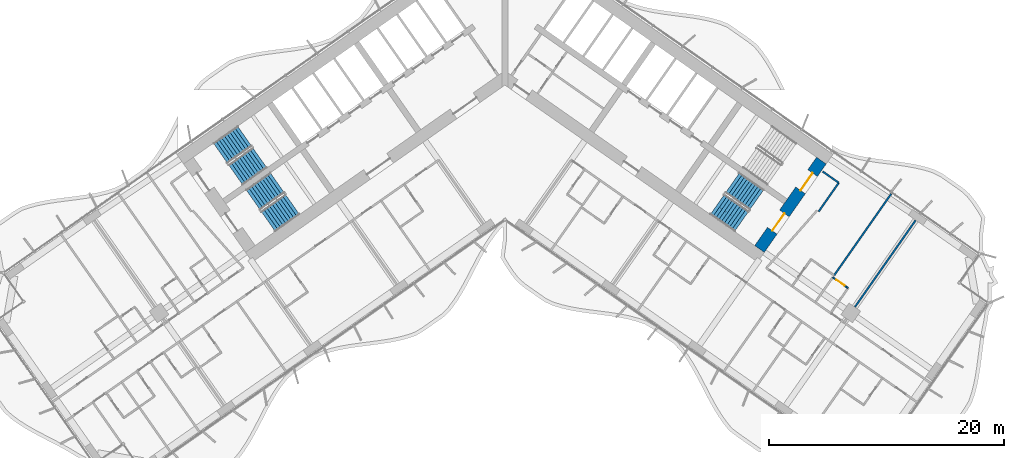
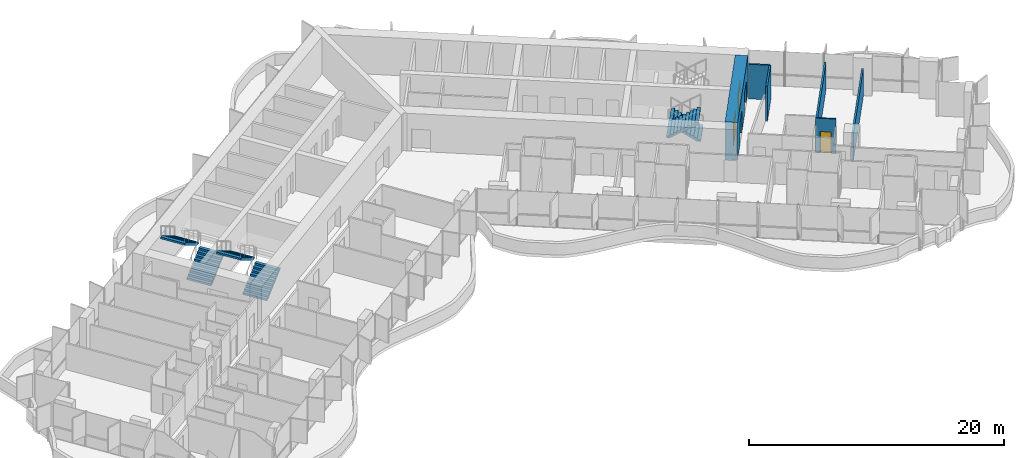
# One storey, part 17 of 24: 6 stair flights, 6 walls, 3 doors, 3 openings, 3 elements without a shape of their own.
"""IFC4 building model written with IfcOpenShell, lengths in metres."""

from ifc_helpers import new_model, si_unit, direction, frame, frame_2d, origin, place, context, subcontext, project, spatial, polyline, rectangle, outline, extrude, material, layer, layer_set, type_object, element, fill, aggregate, save


model = new_model("IFC4")

# Units and contexts
model_context = context("Model", 3, precision=1e-05, world=origin(), true_north=direction((0.0, 1.0)))
body_context = subcontext(model_context, "Body", "Model", "MODEL_VIEW")
ifc_project = project(units=[si_unit("LENGTHUNIT", "METRE"), si_unit("AREAUNIT", "SQUARE_METRE"), si_unit("VOLUMEUNIT", "CUBIC_METRE"), si_unit("PLANEANGLEUNIT", "RADIAN"), si_unit("MASSUNIT", "GRAM", prefix="KILO")], contexts=[model_context])

# Site, building, storey
site_placement = place(None, origin())
site = spatial("IfcSite", under=ifc_project, at=site_placement, CompositionType="ELEMENT")
building_placement = place(site_placement, origin())
building = spatial("IfcBuilding", under=site, at=building_placement, Name="Tel Ilan Convention Tower", CompositionType="ELEMENT")
storey_placement = place(building_placement, frame((0.0, 0.0, 90.5)))
storey = spatial("IfcBuildingStorey", under=building, at=storey_placement, Name="L18", CompositionType="ELEMENT", Elevation=90.5)

# Wall, openings, doors
ifc_material_1 = material(Name="Concrete C60/75", Category="concrete")
ifc_layer_1 = layer(ifc_material_1, 1.0)
ifc_layer_set_1 = layer_set([ifc_layer_1], Name="Core Shear Wall 1000 mm C60/75")
wall_type_1 = type_object("IfcWallType", Name="Core Shear Wall 1000 mm C60/75", PredefinedType="SHEAR", material=ifc_layer_set_1)
wall_1_placement = place(storey_placement, frame((21.70751953125, -15.19970703125, 0.0), z_axis=(0.0, 0.0, 1.0), x_axis=(0.573576324356, 0.819152122709, 0.0)))
wall_1 = element("IfcWall", 1, at=wall_1_placement, inside=storey, type_object=wall_type_1, Name="L18 core wall E-end", PredefinedType="SHEAR", context=body_context, shape_type="SweptSolid", body=[
    extrude(outline(polyline([(9.199951171875, 0.5), (0.0, 0.5), (0.0, -0.5), (9.199951171875, -0.5), (9.199951171875, 0.5)])), origin(), (0.0, 0.0, 1.0), 3.60009765625),
])
opening_1_placement = place(wall_1_placement, frame((6.10009765625, 0.0, 0.0)))
opening_1 = element("IfcOpeningElement", 2, at=opening_1_placement, cuts=wall_1, Name="Opening SD1603", PredefinedType="OPENING", context=body_context, shape_type="SweptSolid", body=[
    extrude(rectangle(XDim=1.800048828125, YDim=2.10009765625, at=frame_2d((0.89990234375, 1.050048828125))), frame((0.0, 0.510009765625, 0.0), z_axis=(0.0, -1.0, 0.0), x_axis=(1.0, 0.0, 0.0)), (0.0, 0.0, 1.0), 1.02001953125),
])
opening_2_placement = place(wall_1_placement, frame((1.89990234375, 0.0, 0.0)))
opening_2 = element("IfcOpeningElement", 3, at=opening_2_placement, cuts=wall_1, Name="Opening SD1604", PredefinedType="OPENING", context=body_context, shape_type="SweptSolid", body=[
    extrude(rectangle(XDim=1.800048828125, YDim=2.10009765625, at=frame_2d((0.89990234375, 1.050048828125))), frame((0.0, 0.510009765625, 0.0), z_axis=(0.0, -1.0, 0.0), x_axis=(1.0, 0.0, 0.0)), (0.0, 0.0, 1.0), 1.02001953125),
])
ifc_material_2 = material(Name="Galvanised Steel Door Leaf", Category="steel")
door_type_1 = type_object("IfcDoorType", Name="Stair Fire Door 1800 x 2100 FD60S", OperationType="NOTDEFINED", PredefinedType="DOOR", material=ifc_material_2)
door_1_placement = place(opening_1_placement, origin())
door_1 = element("IfcDoor", 4, at=door_1_placement, inside=storey, type_object=door_type_1, Name="Stair S3 door", OperationType="DOUBLE_DOOR_SINGLE_SWING", OverallHeight=2.10009765625, OverallWidth=1.800048828125, PredefinedType="DOOR", context=body_context, shape_type="SweptSolid", body=[
    extrude(rectangle(XDim=1.800048828125, YDim=2.10009765625, at=frame_2d((0.89990234375, 1.050048828125))), frame((0.0, 0.02490234375, 0.0), z_axis=(0.0, -1.0, 0.0), x_axis=(1.0, 0.0, 0.0)), (0.0, 0.0, 1.0), 0.050048828125),
])
fill(opening_1, door_1)
door_2_placement = place(opening_2_placement, origin())
door_2 = element("IfcDoor", 5, at=door_2_placement, inside=storey, type_object=door_type_1, Name="Stair S4 door", OperationType="DOUBLE_DOOR_SINGLE_SWING", OverallHeight=2.10009765625, OverallWidth=1.800048828125, PredefinedType="DOOR", context=body_context, shape_type="SweptSolid", body=[
    extrude(rectangle(XDim=1.800048828125, YDim=2.10009765625, at=frame_2d((0.89990234375, 1.050048828125))), frame((0.0, 0.02490234375, 0.0), z_axis=(0.0, -1.0, 0.0), x_axis=(1.0, 0.0, 0.0)), (0.0, 0.0, 1.0), 0.050048828125),
])
fill(opening_2, door_2)

# Walls
ifc_material_3 = material(Name="Plasterboard on Steel Studs", Category="steel")
ifc_layer_2 = layer(ifc_material_3, 0.14990234375)
ifc_layer_set_2 = layer_set([ifc_layer_2], Name="Fire-rated Partition 150 EI 60")
wall_type_2 = type_object("IfcWallType", Name="Fire-rated Partition 150 EI 60", PredefinedType="PARTITIONING", material=ifc_layer_set_2)
wall_2_placement = place(storey_placement, frame((32.93994140625, -10.49072265625, 0.0), z_axis=(0.0, 0.0, 1.0), x_axis=(-0.573593433868, -0.819140142237, 0.0)))
element("IfcWall", 6, at=wall_2_placement, inside=storey, type_object=wall_type_2, Name="Partition 046", PredefinedType="PARTITIONING", context=body_context, shape_type="SweptSolid", body=[
    extrude(rectangle(XDim=8.4990234375, YDim=0.14990234375, at=frame_2d((4.24951171875, 0.0))), origin(), (0.0, 0.0, 1.0), 2.60009765625),
])
wall_3_placement = place(storey_placement, frame((26.74609375, -12.013671875, 0.0), z_axis=(0.0, 0.0, 1.0), x_axis=(0.573560650686, 0.819163097304, 0.0)))
element("IfcWall", 7, at=wall_3_placement, inside=storey, type_object=wall_type_2, Name="Partition 048", PredefinedType="PARTITIONING", context=body_context, shape_type="SweptSolid", body=[
    extrude(rectangle(XDim=3.0, YDim=0.14990234375, at=frame_2d((1.5, 0.0))), origin(), (0.0, 0.0, 1.0), 3.320068359375),
])
wall_4_placement = place(storey_placement, frame((28.466796875, -9.55615234375, 0.0), z_axis=(0.0, 0.0, 1.0), x_axis=(-0.819109000826, 0.573637903879, 0.0)))
element("IfcWall", 8, at=wall_4_placement, inside=storey, type_object=wall_type_2, Name="Partition 049", PredefinedType="PARTITIONING", context=body_context, shape_type="SweptSolid", body=[
    extrude(rectangle(XDim=1.679931640625, YDim=0.14990234375, at=frame_2d((0.83984375, 0.0))), origin(), (0.0, 0.0, 1.0), 3.320068359375),
])
wall_5_placement = place(storey_placement, frame((35.012939453125, -12.76025390625, 0.0), z_axis=(0.0, 0.0, 1.0), x_axis=(-0.573558725113, -0.819164445546, 0.0)))
element("IfcWall", 9, at=wall_5_placement, inside=storey, type_object=wall_type_2, Name="Partition 053", PredefinedType="PARTITIONING", context=body_context, shape_type="SweptSolid", body=[
    extrude(rectangle(XDim=9.010009765625, YDim=0.14990234375, at=frame_2d((4.5048828125, 0.0))), origin(), (0.0, 0.0, 1.0), 2.60009765625),
])

# Wall, opening, door
ifc_material_4 = material(Name="Plasterboard on Steel Studs", Category="steel")
ifc_layer_3 = layer(ifc_material_4, 0.1201171875)
ifc_layer_set_3 = layer_set([ifc_layer_3], Name="Moisture-resistant Partition 120")
wall_type_3 = type_object("IfcWallType", Name="Moisture-resistant Partition 120", PredefinedType="PARTITIONING", material=ifc_layer_set_3)
wall_6_placement = place(storey_placement, frame((29.260986328125, -18.5341796875, 0.0), z_axis=(0.0, 0.0, 1.0), x_axis=(-0.819253425856, 0.573431621227, 0.0)))
wall_6 = element("IfcWall", 10, at=wall_6_placement, inside=storey, type_object=wall_type_3, Name="Partition 052", PredefinedType="PARTITIONING", context=body_context, shape_type="SweptSolid", body=[
    extrude(rectangle(XDim=1.60009765625, YDim=0.1201171875, at=frame_2d((0.800048828125, 0.0))), origin(), (0.0, 0.0, 1.0), 3.320068359375),
])
opening_3_placement = place(wall_6_placement, frame((0.375, 0.0, 0.0)))
opening_3 = element("IfcOpeningElement", 11, at=opening_3_placement, cuts=wall_6, Name="Opening L18-041", PredefinedType="OPENING", context=body_context, shape_type="SweptSolid", body=[
    extrude(rectangle(XDim=0.85009765625, YDim=2.050048828125, at=frame_2d((0.425048828125, 1.02490234375))), frame((0.0, 0.070068359375, 0.0), z_axis=(0.0, -1.0, 0.0), x_axis=(1.0, 0.0, 0.0)), (0.0, 0.0, 1.0), 0.14013671875),
])
ifc_material_5 = material(Name="Timber Door Leaf in Steel Frame", Category="steel")
door_type_2 = type_object("IfcDoorType", Name="Bathroom Timber Door 850x2050", OperationType="NOTDEFINED", PredefinedType="DOOR", material=ifc_material_5)
door_3_placement = place(opening_3_placement, origin())
door_3 = element("IfcDoor", 12, at=door_3_placement, inside=storey, type_object=door_type_2, Name="Door L18-041", OperationType="SINGLE_SWING_LEFT", OverallHeight=2.050048828125, OverallWidth=0.85009765625, PredefinedType="DOOR", context=body_context, shape_type="SweptSolid", body=[
    extrude(rectangle(XDim=0.85009765625, YDim=2.050048828125, at=frame_2d((0.425048828125, 1.02490234375))), frame((0.0, 0.02490234375, 0.0), z_axis=(0.0, -1.0, 0.0), x_axis=(1.0, 0.0, 0.0)), (0.0, 0.0, 1.0), 0.050048828125),
])
fill(opening_3, door_3)

# Stair, stair flights
ifc_material_6 = material(Name="Concrete C40/50", Category="concrete")
stair_type = type_object("IfcStairType", Name="Pressurised Exit Stair 20 risers 180 mm", PredefinedType="HALF_TURN_STAIR", material=ifc_material_6)
stair_1_placement = place(storey_placement, origin())
stair_1 = element("IfcStair", 13, at=stair_1_placement, inside=storey, type_object=stair_type, Name="L18 Pressurised Stair S1", PredefinedType="HALF_TURN_STAIR")
ifc_material_7 = material(Name="Precast Concrete C40/50", Category="concrete")
stair_flight_type = type_object("IfcStairFlightType", Name="Concrete Stair Flight 2100 mm 20 risers 180 mm", PredefinedType="STRAIGHT", material=ifc_material_7)
stair_flight_1_placement = place(storey_placement, frame((-22.9619140625, -8.87548828125, 0.0), z_axis=(0.0, 0.0, 1.0), x_axis=(0.819152044289, 0.573576436351, 0.0)))
stair_flight_1 = element("IfcStairFlight", 14, at=stair_flight_1_placement, type_object=stair_flight_type, Name="S1 flight 1", NumberOfRisers=10, NumberOfTreads=9, PredefinedType="STRAIGHT", RiserHeight=0.18, TreadLength=0.28, context=body_context, shape_type="SweptSolid", body=[
    extrude(outline(polyline([(0.0, 0.0), (0.0, 0.179931640625), (0.280029296875, 0.179931640625), (0.280029296875, 0.360107421875), (0.56005859375, 0.360107421875), (0.56005859375, 0.5400390625), (0.840087890625, 0.5400390625), (0.840087890625, 0.719970703125), (1.1201171875, 0.719970703125), (1.1201171875, 0.89990234375), (1.39990234375, 0.89990234375), (1.39990234375, 1.080078125), (1.679931640625, 1.080078125), (1.679931640625, 1.260009765625), (1.9599609375, 1.260009765625), (1.9599609375, 1.43994140625), (2.239990234375, 1.43994140625), (2.239990234375, 1.6201171875), (2.52001953125, 1.6201171875), (2.52001953125, 1.800048828125), (2.52001953125, 1.44189453125), (0.277099609375, 0.0), (0.0, 0.0)])), frame((0.0, -0.100341796875, 0.0), z_axis=(0.0, -1.0, 0.0), x_axis=(1.0, 0.0, 0.0)), (0.0, 0.0, 1.0), 0.94970703125),
    extrude(outline(polyline([(0.0, 0.0), (0.0, 0.179931640625), (0.280029296875, 0.179931640625), (0.280029296875, 0.360107421875), (0.56005859375, 0.360107421875), (0.56005859375, 0.5400390625), (0.840087890625, 0.5400390625), (0.840087890625, 0.719970703125), (1.1201171875, 0.719970703125), (1.1201171875, 0.89990234375), (1.39990234375, 0.89990234375), (1.39990234375, 1.080078125), (1.679931640625, 1.080078125), (1.679931640625, 1.260009765625), (1.9599609375, 1.260009765625), (1.9599609375, 1.43994140625), (2.239990234375, 1.43994140625), (2.239990234375, 1.6201171875), (2.52001953125, 1.6201171875), (2.52001953125, 1.800048828125), (2.52001953125, 1.44189453125), (0.277099609375, 0.0), (0.0, 0.0)])), frame((0.0, -0.000244140625, 0.0), z_axis=(0.0, -1.0, 0.0), x_axis=(1.0, 0.0, 0.0)), (0.0, 0.0, 1.0), 0.099609375),
    extrude(outline(polyline([(0.0, 0.0), (0.0, 0.179931640625), (0.280029296875, 0.179931640625), (0.280029296875, 0.360107421875), (0.56005859375, 0.360107421875), (0.56005859375, 0.5400390625), (0.840087890625, 0.5400390625), (0.840087890625, 0.719970703125), (1.1201171875, 0.719970703125), (1.1201171875, 0.89990234375), (1.39990234375, 0.89990234375), (1.39990234375, 1.080078125), (1.679931640625, 1.080078125), (1.679931640625, 1.260009765625), (1.9599609375, 1.260009765625), (1.9599609375, 1.43994140625), (2.239990234375, 1.43994140625), (2.239990234375, 1.6201171875), (2.52001953125, 1.6201171875), (2.52001953125, 1.800048828125), (2.52001953125, 1.44189453125), (0.277099609375, 0.0), (0.0, 0.0)])), frame((0.0, 0.099853515625, 0.0), z_axis=(0.0, -1.0, 0.0), x_axis=(1.0, 0.0, 0.0)), (0.0, 0.0, 1.0), 0.099609375),
    extrude(outline(polyline([(0.0, 0.0), (0.0, 0.179931640625), (0.280029296875, 0.179931640625), (0.280029296875, 0.360107421875), (0.56005859375, 0.360107421875), (0.56005859375, 0.5400390625), (0.840087890625, 0.5400390625), (0.840087890625, 0.719970703125), (1.1201171875, 0.719970703125), (1.1201171875, 0.89990234375), (1.39990234375, 0.89990234375), (1.39990234375, 1.080078125), (1.679931640625, 1.080078125), (1.679931640625, 1.260009765625), (1.9599609375, 1.260009765625), (1.9599609375, 1.43994140625), (2.239990234375, 1.43994140625), (2.239990234375, 1.6201171875), (2.52001953125, 1.6201171875), (2.52001953125, 1.800048828125), (2.52001953125, 1.44189453125), (0.277099609375, 0.0), (0.0, 0.0)])), frame((0.0, 1.050048828125, 0.0), z_axis=(0.0, -1.0, 0.0), x_axis=(1.0, 0.0, 0.0)), (0.0, 0.0, 1.0), 0.94970703125),
])
stair_flight_2_placement = place(storey_placement, frame((-22.188232421875, -5.5869140625, 1.800048828125), z_axis=(0.0, 0.0, 1.0), x_axis=(-0.819152044289, -0.573576436351, 0.0)))
stair_flight_2 = element("IfcStairFlight", 15, at=stair_flight_2_placement, type_object=stair_flight_type, Name="S1 flight 2", NumberOfRisers=10, NumberOfTreads=9, PredefinedType="STRAIGHT", RiserHeight=0.18, TreadLength=0.28, context=body_context, shape_type="SweptSolid", body=[
    extrude(outline(polyline([(0.0, 0.0), (0.0, 0.179931640625), (0.280029296875, 0.179931640625), (0.280029296875, 0.360107421875), (0.56005859375, 0.360107421875), (0.56005859375, 0.5400390625), (0.840087890625, 0.5400390625), (0.840087890625, 0.719970703125), (1.1201171875, 0.719970703125), (1.1201171875, 0.89990234375), (1.39990234375, 0.89990234375), (1.39990234375, 1.080078125), (1.679931640625, 1.080078125), (1.679931640625, 1.260009765625), (1.9599609375, 1.260009765625), (1.9599609375, 1.43994140625), (2.239990234375, 1.43994140625), (2.239990234375, 1.6201171875), (2.52001953125, 1.6201171875), (2.52001953125, 1.800048828125), (2.52001953125, 1.44189453125), (0.277099609375, 0.0), (0.0, 0.0)])), frame((0.0, -0.100341796875, 0.0), z_axis=(0.0, -1.0, 0.0), x_axis=(1.0, 0.0, 0.0)), (0.0, 0.0, 1.0), 0.94970703125),
    extrude(outline(polyline([(0.0, 0.0), (0.0, 0.179931640625), (0.280029296875, 0.179931640625), (0.280029296875, 0.360107421875), (0.56005859375, 0.360107421875), (0.56005859375, 0.5400390625), (0.840087890625, 0.5400390625), (0.840087890625, 0.719970703125), (1.1201171875, 0.719970703125), (1.1201171875, 0.89990234375), (1.39990234375, 0.89990234375), (1.39990234375, 1.080078125), (1.679931640625, 1.080078125), (1.679931640625, 1.260009765625), (1.9599609375, 1.260009765625), (1.9599609375, 1.43994140625), (2.239990234375, 1.43994140625), (2.239990234375, 1.6201171875), (2.52001953125, 1.6201171875), (2.52001953125, 1.800048828125), (2.52001953125, 1.44189453125), (0.277099609375, 0.0), (0.0, 0.0)])), frame((0.0, -0.000244140625, 0.0), z_axis=(0.0, -1.0, 0.0), x_axis=(1.0, 0.0, 0.0)), (0.0, 0.0, 1.0), 0.099609375),
    extrude(outline(polyline([(0.0, 0.0), (0.0, 0.179931640625), (0.280029296875, 0.179931640625), (0.280029296875, 0.360107421875), (0.56005859375, 0.360107421875), (0.56005859375, 0.5400390625), (0.840087890625, 0.5400390625), (0.840087890625, 0.719970703125), (1.1201171875, 0.719970703125), (1.1201171875, 0.89990234375), (1.39990234375, 0.89990234375), (1.39990234375, 1.080078125), (1.679931640625, 1.080078125), (1.679931640625, 1.260009765625), (1.9599609375, 1.260009765625), (1.9599609375, 1.43994140625), (2.239990234375, 1.43994140625), (2.239990234375, 1.6201171875), (2.52001953125, 1.6201171875), (2.52001953125, 1.800048828125), (2.52001953125, 1.44189453125), (0.277099609375, 0.0), (0.0, 0.0)])), frame((0.0, 0.099853515625, 0.0), z_axis=(0.0, -1.0, 0.0), x_axis=(1.0, 0.0, 0.0)), (0.0, 0.0, 1.0), 0.099609375),
    extrude(outline(polyline([(0.0, 0.0), (0.0, 0.179931640625), (0.280029296875, 0.179931640625), (0.280029296875, 0.360107421875), (0.56005859375, 0.360107421875), (0.56005859375, 0.5400390625), (0.840087890625, 0.5400390625), (0.840087890625, 0.719970703125), (1.1201171875, 0.719970703125), (1.1201171875, 0.89990234375), (1.39990234375, 0.89990234375), (1.39990234375, 1.080078125), (1.679931640625, 1.080078125), (1.679931640625, 1.260009765625), (1.9599609375, 1.260009765625), (1.9599609375, 1.43994140625), (2.239990234375, 1.43994140625), (2.239990234375, 1.6201171875), (2.52001953125, 1.6201171875), (2.52001953125, 1.800048828125), (2.52001953125, 1.44189453125), (0.277099609375, 0.0), (0.0, 0.0)])), frame((0.0, 1.050048828125, 0.0), z_axis=(0.0, -1.0, 0.0), x_axis=(1.0, 0.0, 0.0)), (0.0, 0.0, 1.0), 0.94970703125),
])
aggregate(stair_1, [stair_flight_1, stair_flight_2])

stair_2_placement = place(storey_placement, origin())
stair_2 = element("IfcStair", 16, at=stair_2_placement, inside=storey, type_object=stair_type, Name="L18 Pressurised Stair S2", PredefinedType="HALF_TURN_STAIR")
stair_flight_3_placement = place(storey_placement, frame((-20.179931640625, -12.848388671875, 0.0), z_axis=(0.0, 0.0, 1.0), x_axis=(0.819152044289, 0.573576436351, 0.0)))
stair_flight_3 = element("IfcStairFlight", 17, at=stair_flight_3_placement, type_object=stair_flight_type, Name="S2 flight 1", NumberOfRisers=10, NumberOfTreads=9, PredefinedType="STRAIGHT", RiserHeight=0.18, TreadLength=0.28, context=body_context, shape_type="SweptSolid", body=[
    extrude(outline(polyline([(0.0, 0.0), (0.0, 0.179931640625), (0.280029296875, 0.179931640625), (0.280029296875, 0.360107421875), (0.56005859375, 0.360107421875), (0.56005859375, 0.5400390625), (0.840087890625, 0.5400390625), (0.840087890625, 0.719970703125), (1.1201171875, 0.719970703125), (1.1201171875, 0.89990234375), (1.39990234375, 0.89990234375), (1.39990234375, 1.080078125), (1.679931640625, 1.080078125), (1.679931640625, 1.260009765625), (1.9599609375, 1.260009765625), (1.9599609375, 1.43994140625), (2.239990234375, 1.43994140625), (2.239990234375, 1.6201171875), (2.52001953125, 1.6201171875), (2.52001953125, 1.800048828125), (2.52001953125, 1.44189453125), (0.277099609375, 0.0), (0.0, 0.0)])), frame((0.0, -0.100341796875, 0.0), z_axis=(0.0, -1.0, 0.0), x_axis=(1.0, 0.0, 0.0)), (0.0, 0.0, 1.0), 0.94970703125),
    extrude(outline(polyline([(0.0, 0.0), (0.0, 0.179931640625), (0.280029296875, 0.179931640625), (0.280029296875, 0.360107421875), (0.56005859375, 0.360107421875), (0.56005859375, 0.5400390625), (0.840087890625, 0.5400390625), (0.840087890625, 0.719970703125), (1.1201171875, 0.719970703125), (1.1201171875, 0.89990234375), (1.39990234375, 0.89990234375), (1.39990234375, 1.080078125), (1.679931640625, 1.080078125), (1.679931640625, 1.260009765625), (1.9599609375, 1.260009765625), (1.9599609375, 1.43994140625), (2.239990234375, 1.43994140625), (2.239990234375, 1.6201171875), (2.52001953125, 1.6201171875), (2.52001953125, 1.800048828125), (2.52001953125, 1.44189453125), (0.277099609375, 0.0), (0.0, 0.0)])), frame((0.0, -0.000244140625, 0.0), z_axis=(0.0, -1.0, 0.0), x_axis=(1.0, 0.0, 0.0)), (0.0, 0.0, 1.0), 0.099609375),
    extrude(outline(polyline([(0.0, 0.0), (0.0, 0.179931640625), (0.280029296875, 0.179931640625), (0.280029296875, 0.360107421875), (0.56005859375, 0.360107421875), (0.56005859375, 0.5400390625), (0.840087890625, 0.5400390625), (0.840087890625, 0.719970703125), (1.1201171875, 0.719970703125), (1.1201171875, 0.89990234375), (1.39990234375, 0.89990234375), (1.39990234375, 1.080078125), (1.679931640625, 1.080078125), (1.679931640625, 1.260009765625), (1.9599609375, 1.260009765625), (1.9599609375, 1.43994140625), (2.239990234375, 1.43994140625), (2.239990234375, 1.6201171875), (2.52001953125, 1.6201171875), (2.52001953125, 1.800048828125), (2.52001953125, 1.44189453125), (0.277099609375, 0.0), (0.0, 0.0)])), frame((0.0, 0.099853515625, 0.0), z_axis=(0.0, -1.0, 0.0), x_axis=(1.0, 0.0, 0.0)), (0.0, 0.0, 1.0), 0.099609375),
    extrude(outline(polyline([(0.0, 0.0), (0.0, 0.179931640625), (0.280029296875, 0.179931640625), (0.280029296875, 0.360107421875), (0.56005859375, 0.360107421875), (0.56005859375, 0.5400390625), (0.840087890625, 0.5400390625), (0.840087890625, 0.719970703125), (1.1201171875, 0.719970703125), (1.1201171875, 0.89990234375), (1.39990234375, 0.89990234375), (1.39990234375, 1.080078125), (1.679931640625, 1.080078125), (1.679931640625, 1.260009765625), (1.9599609375, 1.260009765625), (1.9599609375, 1.43994140625), (2.239990234375, 1.43994140625), (2.239990234375, 1.6201171875), (2.52001953125, 1.6201171875), (2.52001953125, 1.800048828125), (2.52001953125, 1.44189453125), (0.277099609375, 0.0), (0.0, 0.0)])), frame((0.0, 1.050048828125, 0.0), z_axis=(0.0, -1.0, 0.0), x_axis=(1.0, 0.0, 0.0)), (0.0, 0.0, 1.0), 0.94970703125),
])
stair_flight_4_placement = place(storey_placement, frame((-19.40625, -9.559814453125, 1.800048828125), z_axis=(0.0, 0.0, 1.0), x_axis=(-0.819152044289, -0.573576436351, 0.0)))
stair_flight_4 = element("IfcStairFlight", 18, at=stair_flight_4_placement, type_object=stair_flight_type, Name="S2 flight 2", NumberOfRisers=10, NumberOfTreads=9, PredefinedType="STRAIGHT", RiserHeight=0.18, TreadLength=0.28, context=body_context, shape_type="SweptSolid", body=[
    extrude(outline(polyline([(0.0, 0.0), (0.0, 0.179931640625), (0.280029296875, 0.179931640625), (0.280029296875, 0.360107421875), (0.56005859375, 0.360107421875), (0.56005859375, 0.5400390625), (0.840087890625, 0.5400390625), (0.840087890625, 0.719970703125), (1.1201171875, 0.719970703125), (1.1201171875, 0.89990234375), (1.39990234375, 0.89990234375), (1.39990234375, 1.080078125), (1.679931640625, 1.080078125), (1.679931640625, 1.260009765625), (1.9599609375, 1.260009765625), (1.9599609375, 1.43994140625), (2.239990234375, 1.43994140625), (2.239990234375, 1.6201171875), (2.52001953125, 1.6201171875), (2.52001953125, 1.800048828125), (2.52001953125, 1.44189453125), (0.277099609375, 0.0), (0.0, 0.0)])), frame((0.0, -0.100341796875, 0.0), z_axis=(0.0, -1.0, 0.0), x_axis=(1.0, 0.0, 0.0)), (0.0, 0.0, 1.0), 0.94970703125),
    extrude(outline(polyline([(0.0, 0.0), (0.0, 0.179931640625), (0.280029296875, 0.179931640625), (0.280029296875, 0.360107421875), (0.56005859375, 0.360107421875), (0.56005859375, 0.5400390625), (0.840087890625, 0.5400390625), (0.840087890625, 0.719970703125), (1.1201171875, 0.719970703125), (1.1201171875, 0.89990234375), (1.39990234375, 0.89990234375), (1.39990234375, 1.080078125), (1.679931640625, 1.080078125), (1.679931640625, 1.260009765625), (1.9599609375, 1.260009765625), (1.9599609375, 1.43994140625), (2.239990234375, 1.43994140625), (2.239990234375, 1.6201171875), (2.52001953125, 1.6201171875), (2.52001953125, 1.800048828125), (2.52001953125, 1.44189453125), (0.277099609375, 0.0), (0.0, 0.0)])), frame((0.0, -0.000244140625, 0.0), z_axis=(0.0, -1.0, 0.0), x_axis=(1.0, 0.0, 0.0)), (0.0, 0.0, 1.0), 0.099609375),
    extrude(outline(polyline([(0.0, 0.0), (0.0, 0.179931640625), (0.280029296875, 0.179931640625), (0.280029296875, 0.360107421875), (0.56005859375, 0.360107421875), (0.56005859375, 0.5400390625), (0.840087890625, 0.5400390625), (0.840087890625, 0.719970703125), (1.1201171875, 0.719970703125), (1.1201171875, 0.89990234375), (1.39990234375, 0.89990234375), (1.39990234375, 1.080078125), (1.679931640625, 1.080078125), (1.679931640625, 1.260009765625), (1.9599609375, 1.260009765625), (1.9599609375, 1.43994140625), (2.239990234375, 1.43994140625), (2.239990234375, 1.6201171875), (2.52001953125, 1.6201171875), (2.52001953125, 1.800048828125), (2.52001953125, 1.44189453125), (0.277099609375, 0.0), (0.0, 0.0)])), frame((0.0, 0.099853515625, 0.0), z_axis=(0.0, -1.0, 0.0), x_axis=(1.0, 0.0, 0.0)), (0.0, 0.0, 1.0), 0.099609375),
    extrude(outline(polyline([(0.0, 0.0), (0.0, 0.179931640625), (0.280029296875, 0.179931640625), (0.280029296875, 0.360107421875), (0.56005859375, 0.360107421875), (0.56005859375, 0.5400390625), (0.840087890625, 0.5400390625), (0.840087890625, 0.719970703125), (1.1201171875, 0.719970703125), (1.1201171875, 0.89990234375), (1.39990234375, 0.89990234375), (1.39990234375, 1.080078125), (1.679931640625, 1.080078125), (1.679931640625, 1.260009765625), (1.9599609375, 1.260009765625), (1.9599609375, 1.43994140625), (2.239990234375, 1.43994140625), (2.239990234375, 1.6201171875), (2.52001953125, 1.6201171875), (2.52001953125, 1.800048828125), (2.52001953125, 1.44189453125), (0.277099609375, 0.0), (0.0, 0.0)])), frame((0.0, 1.050048828125, 0.0), z_axis=(0.0, -1.0, 0.0), x_axis=(1.0, 0.0, 0.0)), (0.0, 0.0, 1.0), 0.94970703125),
])
aggregate(stair_2, [stair_flight_3, stair_flight_4])

stair_3_placement = place(storey_placement, origin())
stair_3 = element("IfcStair", 19, at=stair_3_placement, inside=storey, type_object=stair_type, Name="L18 Pressurised Stair S4", PredefinedType="HALF_TURN_STAIR")
stair_flight_5_placement = place(storey_placement, frame((21.470458984375, -11.00537109375, 0.0), z_axis=(0.0, 0.0, 1.0), x_axis=(-0.819152044289, 0.573576436351, 0.0)))
stair_flight_5 = element("IfcStairFlight", 20, at=stair_flight_5_placement, type_object=stair_flight_type, Name="S4 flight 1", NumberOfRisers=10, NumberOfTreads=9, PredefinedType="STRAIGHT", RiserHeight=0.18, TreadLength=0.28, context=body_context, shape_type="SweptSolid", body=[
    extrude(outline(polyline([(0.0, 0.0), (0.0, 0.179931640625), (0.280029296875, 0.179931640625), (0.280029296875, 0.360107421875), (0.56005859375, 0.360107421875), (0.56005859375, 0.5400390625), (0.840087890625, 0.5400390625), (0.840087890625, 0.719970703125), (1.1201171875, 0.719970703125), (1.1201171875, 0.89990234375), (1.39990234375, 0.89990234375), (1.39990234375, 1.080078125), (1.679931640625, 1.080078125), (1.679931640625, 1.260009765625), (1.9599609375, 1.260009765625), (1.9599609375, 1.43994140625), (2.239990234375, 1.43994140625), (2.239990234375, 1.6201171875), (2.52001953125, 1.6201171875), (2.52001953125, 1.800048828125), (2.52001953125, 1.44189453125), (0.277099609375, 0.0), (0.0, 0.0)])), frame((0.0, -0.100341796875, 0.0), z_axis=(0.0, -1.0, 0.0), x_axis=(1.0, 0.0, 0.0)), (0.0, 0.0, 1.0), 0.94970703125),
    extrude(outline(polyline([(0.0, 0.0), (0.0, 0.179931640625), (0.280029296875, 0.179931640625), (0.280029296875, 0.360107421875), (0.56005859375, 0.360107421875), (0.56005859375, 0.5400390625), (0.840087890625, 0.5400390625), (0.840087890625, 0.719970703125), (1.1201171875, 0.719970703125), (1.1201171875, 0.89990234375), (1.39990234375, 0.89990234375), (1.39990234375, 1.080078125), (1.679931640625, 1.080078125), (1.679931640625, 1.260009765625), (1.9599609375, 1.260009765625), (1.9599609375, 1.43994140625), (2.239990234375, 1.43994140625), (2.239990234375, 1.6201171875), (2.52001953125, 1.6201171875), (2.52001953125, 1.800048828125), (2.52001953125, 1.44189453125), (0.277099609375, 0.0), (0.0, 0.0)])), frame((0.0, -0.000244140625, 0.0), z_axis=(0.0, -1.0, 0.0), x_axis=(1.0, 0.0, 0.0)), (0.0, 0.0, 1.0), 0.099609375),
    extrude(outline(polyline([(0.0, 0.0), (0.0, 0.179931640625), (0.280029296875, 0.179931640625), (0.280029296875, 0.360107421875), (0.56005859375, 0.360107421875), (0.56005859375, 0.5400390625), (0.840087890625, 0.5400390625), (0.840087890625, 0.719970703125), (1.1201171875, 0.719970703125), (1.1201171875, 0.89990234375), (1.39990234375, 0.89990234375), (1.39990234375, 1.080078125), (1.679931640625, 1.080078125), (1.679931640625, 1.260009765625), (1.9599609375, 1.260009765625), (1.9599609375, 1.43994140625), (2.239990234375, 1.43994140625), (2.239990234375, 1.6201171875), (2.52001953125, 1.6201171875), (2.52001953125, 1.800048828125), (2.52001953125, 1.44189453125), (0.277099609375, 0.0), (0.0, 0.0)])), frame((0.0, 0.099853515625, 0.0), z_axis=(0.0, -1.0, 0.0), x_axis=(1.0, 0.0, 0.0)), (0.0, 0.0, 1.0), 0.099609375),
    extrude(outline(polyline([(0.0, 0.0), (0.0, 0.179931640625), (0.280029296875, 0.179931640625), (0.280029296875, 0.360107421875), (0.56005859375, 0.360107421875), (0.56005859375, 0.5400390625), (0.840087890625, 0.5400390625), (0.840087890625, 0.719970703125), (1.1201171875, 0.719970703125), (1.1201171875, 0.89990234375), (1.39990234375, 0.89990234375), (1.39990234375, 1.080078125), (1.679931640625, 1.080078125), (1.679931640625, 1.260009765625), (1.9599609375, 1.260009765625), (1.9599609375, 1.43994140625), (2.239990234375, 1.43994140625), (2.239990234375, 1.6201171875), (2.52001953125, 1.6201171875), (2.52001953125, 1.800048828125), (2.52001953125, 1.44189453125), (0.277099609375, 0.0), (0.0, 0.0)])), frame((0.0, 1.050048828125, 0.0), z_axis=(0.0, -1.0, 0.0), x_axis=(1.0, 0.0, 0.0)), (0.0, 0.0, 1.0), 0.94970703125),
])
stair_flight_6_placement = place(storey_placement, frame((18.11572265625, -11.403076171875, 1.800048828125), z_axis=(0.0, 0.0, 1.0), x_axis=(0.819152044289, -0.573576436351, 0.0)))
stair_flight_6 = element("IfcStairFlight", 21, at=stair_flight_6_placement, type_object=stair_flight_type, Name="S4 flight 2", NumberOfRisers=10, NumberOfTreads=9, PredefinedType="STRAIGHT", RiserHeight=0.18, TreadLength=0.28, context=body_context, shape_type="SweptSolid", body=[
    extrude(outline(polyline([(0.0, 0.0), (0.0, 0.179931640625), (0.280029296875, 0.179931640625), (0.280029296875, 0.360107421875), (0.56005859375, 0.360107421875), (0.56005859375, 0.5400390625), (0.840087890625, 0.5400390625), (0.840087890625, 0.719970703125), (1.1201171875, 0.719970703125), (1.1201171875, 0.89990234375), (1.39990234375, 0.89990234375), (1.39990234375, 1.080078125), (1.679931640625, 1.080078125), (1.679931640625, 1.260009765625), (1.9599609375, 1.260009765625), (1.9599609375, 1.43994140625), (2.239990234375, 1.43994140625), (2.239990234375, 1.6201171875), (2.52001953125, 1.6201171875), (2.52001953125, 1.800048828125), (2.52001953125, 1.44189453125), (0.277099609375, 0.0), (0.0, 0.0)])), frame((0.0, -0.100341796875, 0.0), z_axis=(0.0, -1.0, 0.0), x_axis=(1.0, 0.0, 0.0)), (0.0, 0.0, 1.0), 0.94970703125),
    extrude(outline(polyline([(0.0, 0.0), (0.0, 0.179931640625), (0.280029296875, 0.179931640625), (0.280029296875, 0.360107421875), (0.56005859375, 0.360107421875), (0.56005859375, 0.5400390625), (0.840087890625, 0.5400390625), (0.840087890625, 0.719970703125), (1.1201171875, 0.719970703125), (1.1201171875, 0.89990234375), (1.39990234375, 0.89990234375), (1.39990234375, 1.080078125), (1.679931640625, 1.080078125), (1.679931640625, 1.260009765625), (1.9599609375, 1.260009765625), (1.9599609375, 1.43994140625), (2.239990234375, 1.43994140625), (2.239990234375, 1.6201171875), (2.52001953125, 1.6201171875), (2.52001953125, 1.800048828125), (2.52001953125, 1.44189453125), (0.277099609375, 0.0), (0.0, 0.0)])), frame((0.0, -0.000244140625, 0.0), z_axis=(0.0, -1.0, 0.0), x_axis=(1.0, 0.0, 0.0)), (0.0, 0.0, 1.0), 0.099609375),
    extrude(outline(polyline([(0.0, 0.0), (0.0, 0.179931640625), (0.280029296875, 0.179931640625), (0.280029296875, 0.360107421875), (0.56005859375, 0.360107421875), (0.56005859375, 0.5400390625), (0.840087890625, 0.5400390625), (0.840087890625, 0.719970703125), (1.1201171875, 0.719970703125), (1.1201171875, 0.89990234375), (1.39990234375, 0.89990234375), (1.39990234375, 1.080078125), (1.679931640625, 1.080078125), (1.679931640625, 1.260009765625), (1.9599609375, 1.260009765625), (1.9599609375, 1.43994140625), (2.239990234375, 1.43994140625), (2.239990234375, 1.6201171875), (2.52001953125, 1.6201171875), (2.52001953125, 1.800048828125), (2.52001953125, 1.44189453125), (0.277099609375, 0.0), (0.0, 0.0)])), frame((0.0, 0.099853515625, 0.0), z_axis=(0.0, -1.0, 0.0), x_axis=(1.0, 0.0, 0.0)), (0.0, 0.0, 1.0), 0.099609375),
    extrude(outline(polyline([(0.0, 0.0), (0.0, 0.179931640625), (0.280029296875, 0.179931640625), (0.280029296875, 0.360107421875), (0.56005859375, 0.360107421875), (0.56005859375, 0.5400390625), (0.840087890625, 0.5400390625), (0.840087890625, 0.719970703125), (1.1201171875, 0.719970703125), (1.1201171875, 0.89990234375), (1.39990234375, 0.89990234375), (1.39990234375, 1.080078125), (1.679931640625, 1.080078125), (1.679931640625, 1.260009765625), (1.9599609375, 1.260009765625), (1.9599609375, 1.43994140625), (2.239990234375, 1.43994140625), (2.239990234375, 1.6201171875), (2.52001953125, 1.6201171875), (2.52001953125, 1.800048828125), (2.52001953125, 1.44189453125), (0.277099609375, 0.0), (0.0, 0.0)])), frame((0.0, 1.050048828125, 0.0), z_axis=(0.0, -1.0, 0.0), x_axis=(1.0, 0.0, 0.0)), (0.0, 0.0, 1.0), 0.94970703125),
])
aggregate(stair_3, [stair_flight_5, stair_flight_6])

save(model, "model.ifc")
